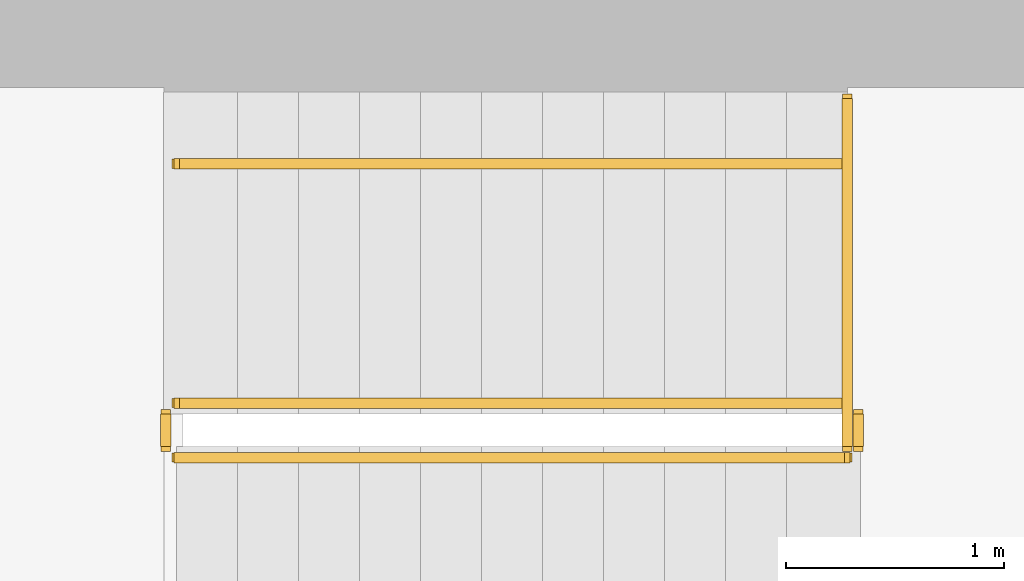
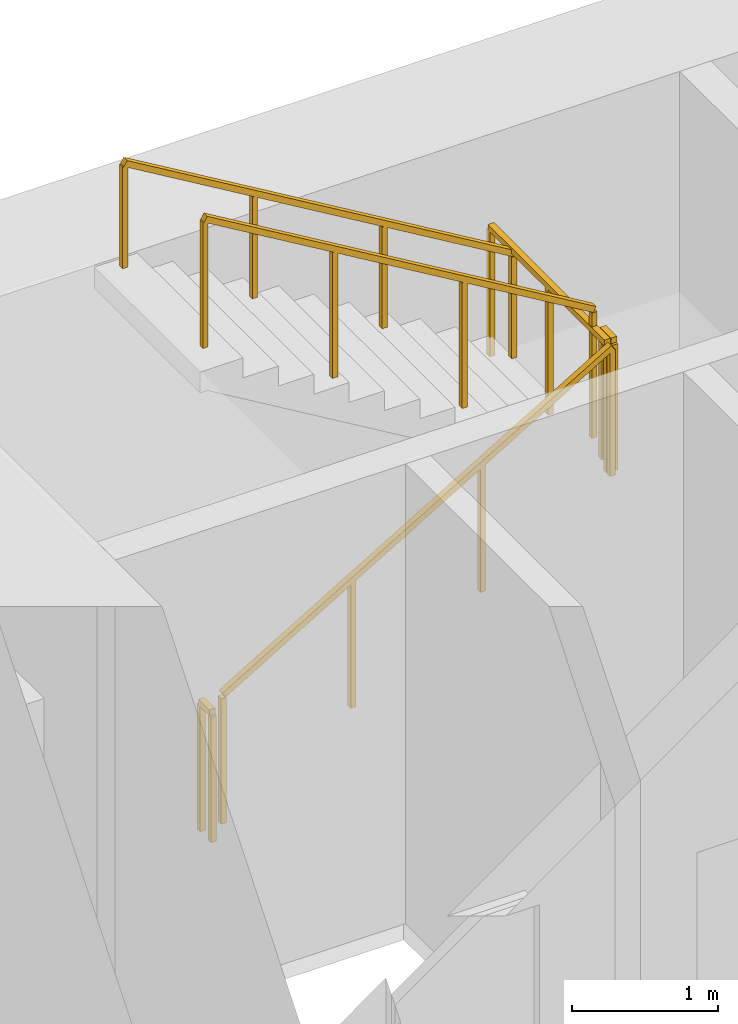
# One storey, part 16 of 17: 6 railings.
"""IFC4 building model written with IfcOpenShell, lengths in metres."""

from ifc_helpers import new_model, si_unit, direction, frame, origin, origin_2d, place, context, subcontext, project, spatial, rectangle, extrude, material, type_object, element, save


model = new_model("IFC4")

# Units and contexts
model_context = context("Model", 3, precision=1e-05, world=origin(), true_north=direction((0.0, 1.0)))
body_context = subcontext(model_context, "Body", "Model", "MODEL_VIEW")
ifc_project = project(units=[si_unit("LENGTHUNIT", "METRE"), si_unit("AREAUNIT", "SQUARE_METRE"), si_unit("VOLUMEUNIT", "CUBIC_METRE"), si_unit("PLANEANGLEUNIT", "RADIAN"), si_unit("MASSUNIT", "GRAM", prefix="KILO")], contexts=[model_context])

# Site, building, storey
site_placement = place(None, origin())
site = spatial("IfcSite", under=ifc_project, at=site_placement, CompositionType="ELEMENT")
building_placement = place(site_placement, origin())
building = spatial("IfcBuilding", under=site, at=building_placement, Name="Sennacour Bend Tower", CompositionType="ELEMENT")
storey_placement = place(building_placement, frame((0.0, 0.0, 219.0)))
storey = spatial("IfcBuildingStorey", under=building, at=storey_placement, Name="L50", CompositionType="ELEMENT", Elevation=219.0)

# Railings
ifc_material = material(Name="Stainless steel", Category="steel")
railing_type_1 = type_object("IfcRailingType", Name="RL-GUARD-1100", PredefinedType="GUARDRAIL", material=ifc_material)
railing_1_placement = place(storey_placement, frame((56.699951171875, 19.85009765625, 0.166748046875)))
element("IfcRailing", 1, at=railing_1_placement, inside=storey, type_object=railing_type_1, Name="L50 SA2 stair guard 1", PredefinedType="GUARDRAIL", context=body_context, shape_type="SweptSolid", body=[
    extrude(rectangle(XDim=0.048095703125, YDim=0.048095703125, at=origin_2d()), frame((0.0, 0.0, 1.076171875), z_axis=(0.859308565015, 0.0, 0.511457515432), x_axis=(0.0, 1.0, 0.0)), (0.0, 0.0, 1.0), 3.58447265625),
    extrude(rectangle(XDim=0.0419921875, YDim=0.0419921875, at=origin_2d()), origin(), (0.0, 0.0, 1.0), 1.052001953125),
    extrude(rectangle(XDim=0.0419921875, YDim=0.0419921875, at=origin_2d()), frame((1.026611328125, 0.0, 0.611083984375)), (0.0, 0.0, 1.0), 1.052001953125),
    extrude(rectangle(XDim=0.0419921875, YDim=0.0419921875, at=origin_2d()), frame((2.053466796875, 0.0, 1.22216796875)), (0.0, 0.0, 1.0), 1.052001953125),
    extrude(rectangle(XDim=0.0419921875, YDim=0.0419921875, at=origin_2d()), frame((3.080078125, 0.0, 1.833251953125)), (0.0, 0.0, 1.0), 1.052001953125),
])
railing_2_placement = place(storey_placement, frame((59.830078125, 19.89990234375, 2.0)))
element("IfcRailing", 2, at=railing_2_placement, inside=storey, type_object=railing_type_1, Name="L50 SA2 stair guard 2", PredefinedType="GUARDRAIL", context=body_context, shape_type="SweptSolid", body=[
    extrude(rectangle(XDim=0.048095703125, YDim=0.048095703125, at=origin_2d()), frame((0.0, 0.0, 1.076171875), z_axis=(0.0, 1.0, 0.0), x_axis=(-1.0, 0.0, 0.0)), (0.0, 0.0, 1.0), 0.150146484375),
    extrude(rectangle(XDim=0.0419921875, YDim=0.0419921875, at=origin_2d()), origin(), (0.0, 0.0, 1.0), 1.052001953125),
    extrude(rectangle(XDim=0.0419921875, YDim=0.0419921875, at=origin_2d()), frame((0.0, 0.150146484375, 0.0)), (0.0, 0.0, 1.0), 1.052001953125),
])
railing_3_placement = place(storey_placement, frame((59.780029296875, 20.10009765625, 2.166748046875)))
element("IfcRailing", 3, at=railing_3_placement, inside=storey, type_object=railing_type_1, Name="L50 SA2 stair guard 4", PredefinedType="GUARDRAIL", context=body_context, shape_type="SweptSolid", body=[
    extrude(rectangle(XDim=0.048095703125, YDim=0.048095703125, at=origin_2d()), frame((0.0, 0.0, 1.076171875), z_axis=(-0.859308565015, 0.0, 0.511457515432), x_axis=(0.0, -1.0, 0.0)), (0.0, 0.0, 1.0), 3.58447265625),
    extrude(rectangle(XDim=0.0419921875, YDim=0.0419921875, at=origin_2d()), origin(), (0.0, 0.0, 1.0), 1.052001953125),
    extrude(rectangle(XDim=0.0419921875, YDim=0.0419921875, at=origin_2d()), frame((-1.026611328125, 0.0, 0.611083984375)), (0.0, 0.0, 1.0), 1.052001953125),
    extrude(rectangle(XDim=0.0419921875, YDim=0.0419921875, at=origin_2d()), frame((-2.053466796875, 0.0, 1.22216796875)), (0.0, 0.0, 1.0), 1.052001953125),
    extrude(rectangle(XDim=0.0419921875, YDim=0.0419921875, at=origin_2d()), frame((-3.080078125, 0.0, 1.833251953125)), (0.0, 0.0, 1.0), 1.052001953125),
])
railing_4_placement = place(storey_placement, frame((56.64990234375, 19.89990234375, 0.0)))
element("IfcRailing", 4, at=railing_4_placement, inside=storey, type_object=railing_type_1, Name="L50 SA2 stair guard 5", PredefinedType="GUARDRAIL", context=body_context, shape_type="SweptSolid", body=[
    extrude(rectangle(XDim=0.048095703125, YDim=0.048095703125, at=origin_2d()), frame((0.0, 0.0, 1.076171875), z_axis=(0.0, 1.0, 0.0), x_axis=(-1.0, 0.0, 0.0)), (0.0, 0.0, 1.0), 0.150146484375),
    extrude(rectangle(XDim=0.0419921875, YDim=0.0419921875, at=origin_2d()), origin(), (0.0, 0.0, 1.0), 1.052001953125),
    extrude(rectangle(XDim=0.0419921875, YDim=0.0419921875, at=origin_2d()), frame((0.0, 0.150146484375, 0.0)), (0.0, 0.0, 1.0), 1.052001953125),
])
railing_5_placement = place(storey_placement, frame((59.780029296875, 19.89990234375, 2.0)))
element("IfcRailing", 5, at=railing_5_placement, inside=storey, type_object=railing_type_1, Name="L50 SA2 landing edge guard 67", PredefinedType="GUARDRAIL", context=body_context, shape_type="SweptSolid", body=[
    extrude(rectangle(XDim=0.048095703125, YDim=0.048095703125, at=origin_2d()), frame((0.0, 0.0, 1.076171875), z_axis=(0.0, 1.0, 0.0), x_axis=(-1.0, 0.0, 0.0)), (0.0, 0.0, 1.0), 1.60009765625),
    extrude(rectangle(XDim=0.0419921875, YDim=0.0419921875, at=origin_2d()), origin(), (0.0, 0.0, 1.0), 1.052001953125),
    extrude(rectangle(XDim=0.0419921875, YDim=0.0419921875, at=origin_2d()), frame((0.0, 0.800048828125, 0.0)), (0.0, 0.0, 1.0), 1.052001953125),
    extrude(rectangle(XDim=0.0419921875, YDim=0.0419921875, at=origin_2d()), frame((0.0, 1.60009765625, 0.0)), (0.0, 0.0, 1.0), 1.052001953125),
])
railing_type_2 = type_object("IfcRailingType", Name="RL-HANDRAIL-900", PredefinedType="HANDRAIL", material=ifc_material)
railing_6_placement = place(storey_placement, frame((59.780029296875, 21.199951171875, 2.166748046875)))
element("IfcRailing", 6, at=railing_6_placement, inside=storey, type_object=railing_type_2, Name="L50 SA2 stair handrail 2", PredefinedType="HANDRAIL", context=body_context, shape_type="SweptSolid", body=[
    extrude(rectangle(XDim=0.048095703125, YDim=0.048095703125, at=origin_2d()), frame((0.0, 0.0, 0.8759765625), z_axis=(-0.859308565015, 0.0, 0.511457515432), x_axis=(0.0, -1.0, 0.0)), (0.0, 0.0, 1.0), 3.58447265625),
    extrude(rectangle(XDim=0.0419921875, YDim=0.0419921875, at=origin_2d()), origin(), (0.0, 0.0, 1.0), 0.851806640625),
    extrude(rectangle(XDim=0.0419921875, YDim=0.0419921875, at=origin_2d()), frame((-1.026611328125, 0.0, 0.611083984375)), (0.0, 0.0, 1.0), 0.851806640625),
    extrude(rectangle(XDim=0.0419921875, YDim=0.0419921875, at=origin_2d()), frame((-2.053466796875, 0.0, 1.22216796875)), (0.0, 0.0, 1.0), 0.851806640625),
    extrude(rectangle(XDim=0.0419921875, YDim=0.0419921875, at=origin_2d()), frame((-3.080078125, 0.0, 1.833251953125)), (0.0, 0.0, 1.0), 0.851806640625),
])

save(model, "model.ifc")
